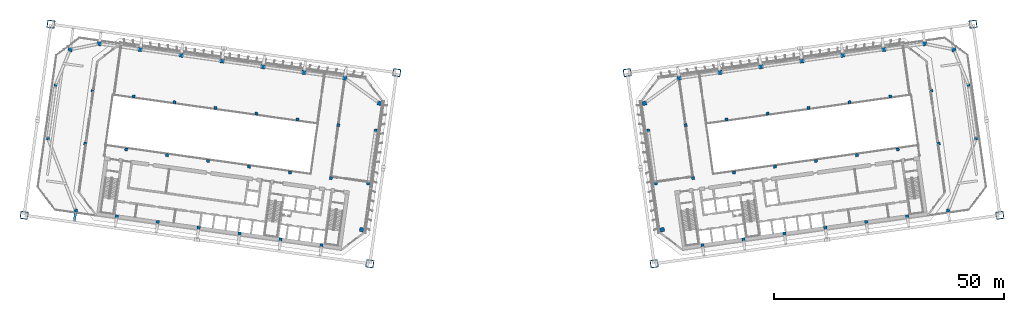
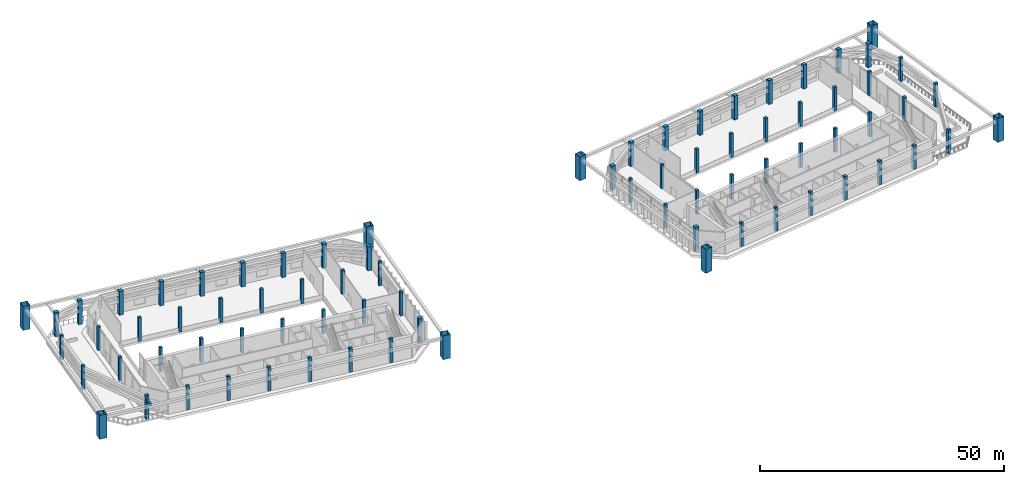
# One storey, part 1 of 41: 78 columns, 1 member.
"""IFC4 building model written with IfcOpenShell, lengths in metres."""

from ifc_helpers import new_model, si_unit, direction, frame, origin, origin_2d, place, context, subcontext, project, spatial, rectangle, hollow_rectangle, extrude, material, material_profile, profile_set, type_object, element, save


model = new_model("IFC4")

# Units and contexts
model_context = context("Model", 3, precision=1e-05, world=origin(), true_north=direction((0.0, 1.0)))
body_context = subcontext(model_context, "Body", "Model", "MODEL_VIEW")
ifc_project = project(units=[si_unit("LENGTHUNIT", "METRE"), si_unit("AREAUNIT", "SQUARE_METRE"), si_unit("VOLUMEUNIT", "CUBIC_METRE"), si_unit("PLANEANGLEUNIT", "RADIAN"), si_unit("MASSUNIT", "GRAM", prefix="KILO")], contexts=[model_context])

# Site, building, storey
site_placement = place(None, origin())
site = spatial("IfcSite", under=ifc_project, at=site_placement, CompositionType="ELEMENT")
building_placement = place(site_placement, origin())
building = spatial("IfcBuilding", under=site, at=building_placement, Name="Mirante Cascada Hotel Towers", CompositionType="ELEMENT")
storey_placement = place(building_placement, frame((0.0, 0.0, 92.7)))
storey = spatial("IfcBuildingStorey", under=building, at=storey_placement, Name="L20", CompositionType="ELEMENT", Elevation=92.7)

# Columns
ifc_material_1 = material(Name="Steel ASTM A572 Gr 50", Category="steel")
ifc_material_profile_1 = material_profile(ifc_material_1, hollow_rectangle(XDim=1.6, YDim=1.6, WallThickness=0.07, at=origin_2d()), Name="Box column 1600x1600x70 ASTM A572 Gr 50")
ifc_profile_set_1 = profile_set([ifc_material_profile_1], Name="Steel ASTM A572 Gr 50")
column_type_1 = type_object("IfcColumnType", Name="Box column 1600x1600x70 ASTM A572 Gr 50", PredefinedType="COLUMN", material=ifc_profile_set_1)
for number, where, z_axis, x_axis, name in (
    (1, (-25.0968, 18.5173, 0.0), (0.0, 0.0, 1.0), (-0.9902681, 0.1391731, 0.0), "Mega column MC1 T1 L20"),
    (2, (-30.9421, -23.074, 0.0), (0.0, 0.0, 1.0), (-0.9902681, 0.1391731, 0.0), "Mega column MC2 T1 L20"),
    (3, (-100.3572, 29.0944, 0.0), (0.0, 0.0, 1.0), (-0.9902681, 0.1391731, 0.0), "Mega column MC3 T1 L20"),
    (4, (-106.2025, -12.4968, 0.0), (0.0, 0.0, 1.0), (-0.9902681, 0.1391731, 0.0), "Mega column MC4 T1 L20"),
    (5, (25.0968, 18.5173, 0.0), (0.0, 0.0, 1.0), (0.9902681, 0.1391731, 0.0), "Mega column MC1 T2 L20"),
    (6, (30.9421, -23.074, 0.0), (0.0, 0.0, 1.0), (0.9902681, 0.1391731, 0.0), "Mega column MC2 T2 L20"),
    (7, (100.3572, 29.0944, 0.0), (0.0, 0.0, 1.0), (0.9902681, 0.1391731, 0.0), "Mega column MC3 T2 L20"),
    (8, (106.2025, -12.4968, 0.0), (0.0, 0.0, 1.0), (0.9902681, 0.1391731, 0.0), "Mega column MC4 T2 L20"),
):
    element("IfcColumn", number, at=place(storey_placement, frame(where, z_axis=z_axis, x_axis=x_axis)), inside=storey, type_object=column_type_1, Name=name, PredefinedType="COLUMN", context=body_context, shape_type="SweptSolid", body=[
        extrude(hollow_rectangle(XDim=1.6, YDim=1.6, WallThickness=0.07, at=origin_2d()), origin(), (0.0, 0.0, 1.0), 6.0),
    ])
ifc_material_2 = material(Name="Concrete C60/75", Category="concrete")
ifc_material_profile_2 = material_profile(ifc_material_2, rectangle(XDim=0.65, YDim=0.65, at=origin_2d()), Name="RC column 650x650 C60/75")
ifc_profile_set_2 = profile_set([ifc_material_profile_2], Name="Concrete C60/75")
column_type_2 = type_object("IfcColumnType", Name="RC column 650x650 C60/75", PredefinedType="COLUMN", material=ifc_profile_set_2)
for number, where, z_axis, x_axis, name in (
    (9, (-29.6893, 5.9592, 0.0), (0.0, 0.0, 1.0), (-0.9902681, 0.1391731, 0.0), "Column T1 L20 2"),
    (10, (-31.3106, -5.5774, 0.0), (0.0, 0.0, 1.0), (-0.9902681, 0.1391731, 0.0), "Column T1 L20 3"),
    (11, (-37.8095, 7.1004, 0.0), (0.0, 0.0, 1.0), (-0.9902681, 0.1391731, 0.0), "Column T1 L20 6"),
    (12, (-39.4308, -4.4362, 0.0), (0.0, 0.0, 1.0), (-0.9902681, 0.1391731, 0.0), "Column T1 L20 7"),
    (13, (-46.7219, 8.353, 0.0), (0.0, 0.0, 1.0), (-0.9902681, 0.1391731, 0.0), "Column T1 L20 10"),
    (14, (-48.3432, -3.1836, 0.0), (0.0, 0.0, 1.0), (-0.9902681, 0.1391731, 0.0), "Column T1 L20 11"),
    (15, (-55.6343, 9.6055, 0.0), (0.0, 0.0, 1.0), (-0.9902681, 0.1391731, 0.0), "Column T1 L20 14"),
    (16, (-57.2557, -1.9311, 0.0), (0.0, 0.0, 1.0), (-0.9902681, 0.1391731, 0.0), "Column T1 L20 15"),
    (17, (-64.5467, 10.8581, 0.0), (0.0, 0.0, 1.0), (-0.9902681, 0.1391731, 0.0), "Column T1 L20 18"),
    (18, (-66.1681, -0.6785, 0.0), (0.0, 0.0, 1.0), (-0.9902681, 0.1391731, 0.0), "Column T1 L20 19"),
    (19, (-73.4591, 12.1107, 0.0), (0.0, 0.0, 1.0), (-0.9902681, 0.1391731, 0.0), "Column T1 L20 22"),
    (20, (-75.0805, 0.574, 0.0), (0.0, 0.0, 1.0), (-0.9902681, 0.1391731, 0.0), "Column T1 L20 23"),
    (21, (-82.3715, 13.3632, 0.0), (0.0, 0.0, 1.0), (-0.9902681, 0.1391731, 0.0), "Column T1 L20 26"),
    (22, (-83.9929, 1.8266, 0.0), (0.0, 0.0, 1.0), (-0.9902681, 0.1391731, 0.0), "Column T1 L20 27"),
    (23, (-91.2839, 14.6158, 0.0), (0.0, 0.0, 1.0), (-0.9902681, 0.1391731, 0.0), "Column T1 L20 30"),
    (24, (-92.9053, 3.0792, 0.0), (0.0, 0.0, 1.0), (-0.9902681, 0.1391731, 0.0), "Column T1 L20 31"),
    (25, (-99.4041, 15.757, 0.0), (0.0, 0.0, 1.0), (-0.9902681, 0.1391731, 0.0), "Column T1 L20 34"),
    (26, (-101.0255, 4.2204, 0.0), (0.0, 0.0, 1.0), (-0.9902681, 0.1391731, 0.0), "Column T1 L20 35"),
    (27, (29.6893, 5.9592, 0.0), (0.0, 0.0, 1.0), (0.9902681, 0.1391731, 0.0), "Column T2 L20 2"),
    (28, (31.3106, -5.5774, 0.0), (0.0, 0.0, 1.0), (0.9902681, 0.1391731, 0.0), "Column T2 L20 3"),
    (29, (37.8095, 7.1004, 0.0), (0.0, 0.0, 1.0), (0.9902681, 0.1391731, 0.0), "Column T2 L20 6"),
    (30, (39.4308, -4.4362, 0.0), (0.0, 0.0, 1.0), (0.9902681, 0.1391731, 0.0), "Column T2 L20 7"),
    (31, (46.7219, 8.353, 0.0), (0.0, 0.0, 1.0), (0.9902681, 0.1391731, 0.0), "Column T2 L20 10"),
    (32, (48.3432, -3.1836, 0.0), (0.0, 0.0, 1.0), (0.9902681, 0.1391731, 0.0), "Column T2 L20 11"),
    (33, (55.6343, 9.6055, 0.0), (0.0, 0.0, 1.0), (0.9902681, 0.1391731, 0.0), "Column T2 L20 14"),
    (34, (57.2557, -1.9311, 0.0), (0.0, 0.0, 1.0), (0.9902681, 0.1391731, 0.0), "Column T2 L20 15"),
    (35, (64.5467, 10.8581, 0.0), (0.0, 0.0, 1.0), (0.9902681, 0.1391731, 0.0), "Column T2 L20 18"),
    (36, (66.1681, -0.6785, 0.0), (0.0, 0.0, 1.0), (0.9902681, 0.1391731, 0.0), "Column T2 L20 19"),
    (37, (73.4591, 12.1107, 0.0), (0.0, 0.0, 1.0), (0.9902681, 0.1391731, 0.0), "Column T2 L20 22"),
    (38, (75.0805, 0.574, 0.0), (0.0, 0.0, 1.0), (0.9902681, 0.1391731, 0.0), "Column T2 L20 23"),
    (39, (82.3715, 13.3632, 0.0), (0.0, 0.0, 1.0), (0.9902681, 0.1391731, 0.0), "Column T2 L20 26"),
    (40, (83.9929, 1.8266, 0.0), (0.0, 0.0, 1.0), (0.9902681, 0.1391731, 0.0), "Column T2 L20 27"),
    (41, (91.2839, 14.6158, 0.0), (0.0, 0.0, 1.0), (0.9902681, 0.1391731, 0.0), "Column T2 L20 30"),
    (42, (92.9053, 3.0792, 0.0), (0.0, 0.0, 1.0), (0.9902681, 0.1391731, 0.0), "Column T2 L20 31"),
    (43, (99.4041, 15.757, 0.0), (0.0, 0.0, 1.0), (0.9902681, 0.1391731, 0.0), "Column T2 L20 34"),
    (44, (101.0255, 4.2204, 0.0), (0.0, 0.0, 1.0), (0.9902681, 0.1391731, 0.0), "Column T2 L20 35"),
):
    element("IfcColumn", number, at=place(storey_placement, frame(where, z_axis=z_axis, x_axis=x_axis)), inside=storey, type_object=column_type_2, Name=name, PredefinedType="COLUMN", context=body_context, shape_type="SweptSolid", body=[
        extrude(rectangle(XDim=0.65, YDim=0.65, at=origin_2d()), origin(), (0.0, 0.0, 1.0), 6.0),
    ])
ifc_material_3 = material(Name="Concrete C60/75", Category="concrete")
ifc_material_profile_3 = material_profile(ifc_material_3, rectangle(XDim=0.7, YDim=0.7, at=origin_2d()), Name="RC column 700x700 C60/75")
ifc_profile_set_3 = profile_set([ifc_material_profile_3], Name="Concrete C60/75")
column_type_3 = type_object("IfcColumnType", Name="RC column 700x700 C60/75", PredefinedType="COLUMN", material=ifc_profile_set_3)
for number, where, z_axis, x_axis, name in (
    (45, (-41.4802, -19.0179, 0.0), (0.0, 0.0, 1.0), (-0.9902681, 0.1391731, 0.0), "Column T1 L20 8"),
    (46, (-50.3926, -17.7653, 0.0), (0.0, 0.0, 1.0), (-0.9902681, 0.1391731, 0.0), "Column T1 L20 12"),
    (47, (-59.305, -16.5128, 0.0), (0.0, 0.0, 1.0), (-0.9902681, 0.1391731, 0.0), "Column T1 L20 16"),
    (48, (-68.2174, -15.2602, 0.0), (0.0, 0.0, 1.0), (-0.9902681, 0.1391731, 0.0), "Column T1 L20 20"),
    (49, (-77.1298, -14.0077, 0.0), (0.0, 0.0, 1.0), (-0.9902681, 0.1391731, 0.0), "Column T1 L20 24"),
    (50, (-86.0422, -12.7551, 0.0), (0.0, 0.0, 1.0), (-0.9902681, 0.1391731, 0.0), "Column T1 L20 28"),
    (51, (-94.9546, -11.5025, 0.0), (0.0, 0.0, 1.0), (-0.9902681, 0.1391731, 0.0), "Column T1 L20 32"),
    (52, (41.4802, -19.0179, 0.0), (0.0, 0.0, 1.0), (0.9902681, 0.1391731, 0.0), "Column T2 L20 8"),
    (53, (50.3926, -17.7653, 0.0), (0.0, 0.0, 1.0), (0.9902681, 0.1391731, 0.0), "Column T2 L20 12"),
    (54, (59.305, -16.5128, 0.0), (0.0, 0.0, 1.0), (0.9902681, 0.1391731, 0.0), "Column T2 L20 16"),
    (55, (68.2174, -15.2602, 0.0), (0.0, 0.0, 1.0), (0.9902681, 0.1391731, 0.0), "Column T2 L20 20"),
    (56, (77.1298, -14.0077, 0.0), (0.0, 0.0, 1.0), (0.9902681, 0.1391731, 0.0), "Column T2 L20 24"),
    (57, (86.0422, -12.7551, 0.0), (0.0, 0.0, 1.0), (0.9902681, 0.1391731, 0.0), "Column T2 L20 28"),
    (58, (94.9546, -11.5025, 0.0), (0.0, 0.0, 1.0), (0.9902681, 0.1391731, 0.0), "Column T2 L20 32"),
):
    element("IfcColumn", number, at=place(storey_placement, frame(where, z_axis=z_axis, x_axis=x_axis)), inside=storey, type_object=column_type_3, Name=name, PredefinedType="COLUMN", context=body_context, shape_type="SweptSolid", body=[
        extrude(rectangle(XDim=0.7, YDim=0.7, at=origin_2d()), origin(), (0.0, 0.0, 1.0), 6.0),
    ])
ifc_material_4 = material(Name="Concrete C60/75", Category="concrete")
ifc_material_profile_4 = material_profile(ifc_material_4, rectangle(XDim=0.9, YDim=0.9, at=origin_2d()), Name="RC column 900x900 C60/75")
ifc_profile_set_4 = profile_set([ifc_material_profile_4], Name="Concrete C60/75")
column_type_4 = type_object("IfcColumnType", Name="RC column 900x900 C60/75", PredefinedType="COLUMN", material=ifc_profile_set_4)
for number, where, z_axis, x_axis, name in (
    (59, (-28.8577, 11.8761, 0.0), (0.0, 0.0, 1.0), (-0.9902681, 0.1391731, 0.0), "Column T1 L20 1"),
    (60, (-32.7267, -15.6534, 0.0), (0.0, 0.0, 1.0), (-0.9902681, 0.1391731, 0.0), "Column T1 L20 4"),
    (61, (-36.3725, 17.325, 0.0), (0.0, 0.0, 1.0), (-0.9902681, 0.1391731, 0.0), "Column T1 L20 5"),
    (62, (-45.2849, 18.5775, 0.0), (0.0, 0.0, 1.0), (-0.9902681, 0.1391731, 0.0), "Column T1 L20 9"),
    (63, (-54.1973, 19.8301, 0.0), (0.0, 0.0, 1.0), (-0.9902681, 0.1391731, 0.0), "Column T1 L20 13"),
    (64, (-63.1097, 21.0826, 0.0), (0.0, 0.0, 1.0), (-0.9902681, 0.1391731, 0.0), "Column T1 L20 17"),
    (65, (-72.0222, 22.3352, 0.0), (0.0, 0.0, 1.0), (-0.9902681, 0.1391731, 0.0), "Column T1 L20 21"),
    (66, (-80.9346, 23.5877, 0.0), (0.0, 0.0, 1.0), (-0.9902681, 0.1391731, 0.0), "Column T1 L20 25"),
    (67, (-89.847, 24.8403, 0.0), (0.0, 0.0, 1.0), (-0.9902681, 0.1391731, 0.0), "Column T1 L20 29"),
    (68, (-96.1868, 23.5602, 0.0), (0.0, 0.0, 1.0), (-0.9902681, 0.1391731, 0.0), "Column T1 L20 33"),
    (69, (28.8577, 11.8761, 0.0), (0.0, 0.0, 1.0), (0.9902681, 0.1391731, 0.0), "Column T2 L20 1"),
    (70, (32.7267, -15.6534, 0.0), (0.0, 0.0, 1.0), (0.9902681, 0.1391731, 0.0), "Column T2 L20 4"),
    (71, (36.3725, 17.325, 0.0), (0.0, 0.0, 1.0), (0.9902681, 0.1391731, 0.0), "Column T2 L20 5"),
    (72, (45.2849, 18.5775, 0.0), (0.0, 0.0, 1.0), (0.9902681, 0.1391731, 0.0), "Column T2 L20 9"),
    (73, (54.1973, 19.8301, 0.0), (0.0, 0.0, 1.0), (0.9902681, 0.1391731, 0.0), "Column T2 L20 13"),
    (74, (63.1097, 21.0826, 0.0), (0.0, 0.0, 1.0), (0.9902681, 0.1391731, 0.0), "Column T2 L20 17"),
    (75, (72.0222, 22.3352, 0.0), (0.0, 0.0, 1.0), (0.9902681, 0.1391731, 0.0), "Column T2 L20 21"),
    (76, (80.9346, 23.5877, 0.0), (0.0, 0.0, 1.0), (0.9902681, 0.1391731, 0.0), "Column T2 L20 25"),
    (77, (89.847, 24.8403, 0.0), (0.0, 0.0, 1.0), (0.9902681, 0.1391731, 0.0), "Column T2 L20 29"),
    (78, (96.1868, 23.5602, 0.0), (0.0, 0.0, 1.0), (0.9902681, 0.1391731, 0.0), "Column T2 L20 33"),
):
    element("IfcColumn", number, at=place(storey_placement, frame(where, z_axis=z_axis, x_axis=x_axis)), inside=storey, type_object=column_type_4, Name=name, PredefinedType="COLUMN", context=body_context, shape_type="SweptSolid", body=[
        extrude(rectangle(XDim=0.9, YDim=0.9, at=origin_2d()), origin(), (0.0, 0.0, 1.0), 6.0),
    ])

# Member
ifc_material_5 = material(Name="Steel ASTM A572 Gr 50", Category="steel")
ifc_material_profile_5 = material_profile(ifc_material_5, hollow_rectangle(XDim=0.5, YDim=0.5, WallThickness=0.035, at=origin_2d()), Name="Box tie 500x500x35 ASTM A572 Gr 50")
ifc_profile_set_5 = profile_set([ifc_material_profile_5], Name="Steel ASTM A572 Gr 50")
member_type = type_object("IfcMemberType", Name="Box tie 500x500x35 ASTM A572 Gr 50", PredefinedType="STRUT", material=ifc_profile_set_5)
member_placement = place(storey_placement, frame((-95.0006, -11.8293, 4.85), z_axis=(-0.1391766, -0.9902676, 0.0), x_axis=(0.9902676, -0.1391766, 0.0)))
element("IfcMember", 79, at=member_placement, inside=storey, type_object=member_type, Name="tie T1 L20 14", PredefinedType="STRUT", context=body_context, shape_type="SweptSolid", body=[
    extrude(hollow_rectangle(XDim=0.5, YDim=0.5, WallThickness=0.035, at=origin_2d()), origin(), (0.0, 0.0, 1.0), 1.94),
])

save(model, "model.ifc")
